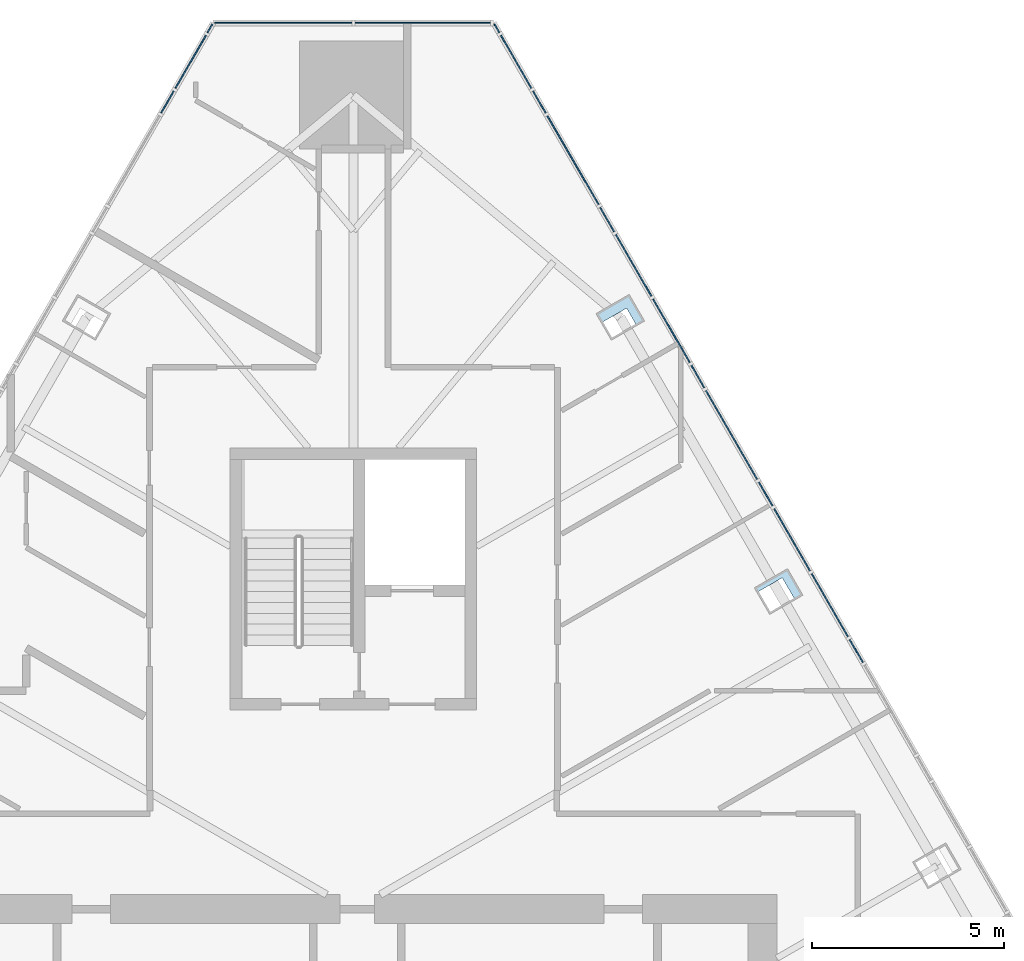
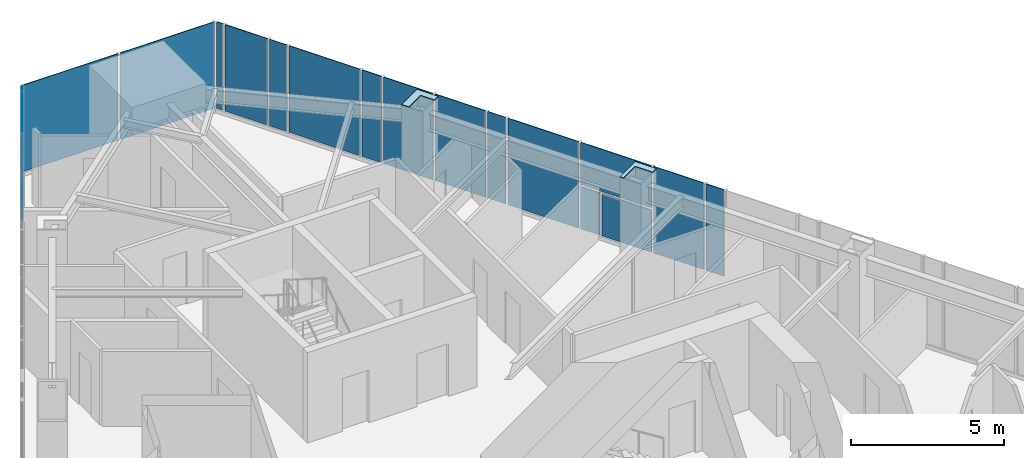
# One storey, part 17 of 24: 23 plates, 3 elements without a shape of their own.
"""IFC4 building model written with IfcOpenShell, lengths in metres."""

from ifc_helpers import new_model, si_unit, direction, frame, origin, place, context, subcontext, project, spatial, polyline, outline, extrude, material, layer, layer_set, type_object, element, aggregate, save


model = new_model("IFC4")

# Units and contexts
model_context = context("Model", 3, precision=1e-05, world=origin(), true_north=direction((0.0, 1.0)))
body_context = subcontext(model_context, "Body", "Model", "MODEL_VIEW")
ifc_project = project(units=[si_unit("LENGTHUNIT", "METRE"), si_unit("AREAUNIT", "SQUARE_METRE"), si_unit("VOLUMEUNIT", "CUBIC_METRE"), si_unit("PLANEANGLEUNIT", "RADIAN"), si_unit("MASSUNIT", "GRAM", prefix="KILO")], contexts=[model_context])

# Site, building, storey
site_placement = place(None, origin())
site = spatial("IfcSite", under=ifc_project, at=site_placement, CompositionType="ELEMENT")
building_placement = place(site_placement, origin())
building = spatial("IfcBuilding", under=site, at=building_placement, Name="Firuza Gate Tower and Library", CompositionType="ELEMENT")
storey_placement = place(building_placement, frame((0.0, 0.0, 237.699951171875)))
storey = spatial("IfcBuildingStorey", under=building, at=storey_placement, Name="L56", CompositionType="ELEMENT", Elevation=237.699951171875)

# Plates
ifc_material_1 = material(Name="Steel S355", Category="steel")
ifc_layer_1 = layer(ifc_material_1, 0.030029296875)
ifc_layer_set_1 = layer_set([ifc_layer_1], Name="Column infill plate 30 Steel S355")
plate_type_1 = type_object("IfcPlateType", Name="Column infill plate 30 Steel S355", PredefinedType="SHEET", material=ifc_layer_set_1)
placement_1 = place(storey_placement, frame((0.0, 0.0, 3.900146484375)))
element("IfcPlate", 1, at=placement_1, inside=storey, type_object=plate_type_1, Name="Infill plate L56:E4", PredefinedType="SHEET", context=body_context, shape_type="SweptSolid", body=[
    extrude(outline(polyline([(85.4130859375, 90.971923828125), (85.482177734375, 90.852294921875), (86.14111328125, 91.232666015625), (86.471923828125, 90.659423828125), (86.67919921875, 90.779052734375), (86.279052734375, 91.471923828125), (85.4130859375, 90.971923828125)])), origin(), (0.0, 0.0, 1.0), 0.02978515625),
])
element("IfcPlate", 2, at=placement_1, inside=storey, type_object=plate_type_1, Name="Infill plate L56:E5", PredefinedType="SHEET", context=body_context, shape_type="SweptSolid", body=[
    extrude(outline(polyline([(81.30029296875, 98.095458984375), (81.4384765625, 97.856201171875), (82.097412109375, 98.23681640625), (82.359375, 97.782958984375), (82.56640625, 97.902587890625), (82.166259765625, 98.595458984375), (81.30029296875, 98.095458984375)])), origin(), (0.0, 0.0, 1.0), 0.02978515625),
])

# Curtain wall, plates
ifc_material_2 = material(Name="Aluminium 6063-T6", Category="aluminium")
ifc_layer_2 = layer(ifc_material_2, 0.14990234375)
ifc_layer_set_2 = layer_set([ifc_layer_2], Name="Corner curtain wall, chamfers")
curtain_wall_type_1 = type_object("IfcCurtainWallType", Name="Corner curtain wall, chamfers", PredefinedType="NOTDEFINED", material=ifc_layer_set_2)
placement_2 = place(storey_placement, origin())
curtain_wall_1 = element("IfcCurtainWall", 3, at=placement_2, inside=storey, type_object=curtain_wall_type_1, Name="CW4 L56 N corner", PredefinedType="NOTDEFINED")
ifc_material_3 = material(Name="Fritted glass", Category="glass")
ifc_layer_3 = layer(ifc_material_3, 0.030029296875)
ifc_layer_set_3 = layer_set([ifc_layer_3], Name="Fritted glass unit, corners")
plate_type_2 = type_object("IfcPlateType", Name="Fritted glass unit, corners", PredefinedType="CURTAIN_PANEL", material=ifc_layer_set_3)
plate_3_placement = place(storey_placement, frame((78.603271484375, 105.66259765625, 0.150146484375), z_axis=(0.0, 1.0, 0.0), x_axis=(-1.0, 0.0, 0.0)))
plate_3 = element("IfcPlate", 4, at=plate_3_placement, type_object=plate_type_2, Name="Glass unit", PredefinedType="CURTAIN_PANEL", context=body_context, shape_type="SweptSolid", body=[
    extrude(outline(polyline([(0.0, 0.0), (3.563232421875, 0.0), (3.563232421875, 3.449951171875), (0.0, 3.449951171875), (0.0, 0.0)])), origin(), (0.0, 0.0, -1.0), 0.030029296875),
])
plate_4_placement = place(storey_placement, frame((74.9599609375, 105.66259765625, 0.150146484375), z_axis=(0.0, 1.0, 0.0), x_axis=(-1.0, 0.0, 0.0)))
plate_4 = element("IfcPlate", 5, at=plate_4_placement, type_object=plate_type_2, Name="Glass unit", PredefinedType="CURTAIN_PANEL", context=body_context, shape_type="SweptSolid", body=[
    extrude(outline(polyline([(0.0, 0.0), (3.563232421875, 0.0), (3.563232421875, 3.449951171875), (0.0, 3.449951171875), (0.0, 0.0)])), origin(), (0.0, 0.0, -1.0), 0.030029296875),
])
aggregate(curtain_wall_1, [plate_3, plate_4])

ifc_material_4 = material(Name="Aluminium 6063-T6", Category="aluminium")
ifc_layer_4 = layer(ifc_material_4, 0.14990234375)
ifc_layer_set_4 = layer_set([ifc_layer_4], Name="Unitised curtain wall, hotel")
curtain_wall_type_2 = type_object("IfcCurtainWallType", Name="Unitised curtain wall, hotel", PredefinedType="NOTDEFINED", material=ifc_layer_set_4)
curtain_wall_2 = element("IfcCurtainWall", 6, at=placement_2, inside=storey, type_object=curtain_wall_type_2, Name="CW2 L56 E face", PredefinedType="NOTDEFINED")
ifc_material_5 = material(Name="Fritted glass", Category="glass")
ifc_layer_5 = layer(ifc_material_5, 0.030029296875)
ifc_layer_set_5 = layer_set([ifc_layer_5], Name="Fritted glass unit, hotel")
plate_type_3 = type_object("IfcPlateType", Name="Fritted glass unit, hotel", PredefinedType="CURTAIN_PANEL", material=ifc_layer_set_5)
plate_5_placement = place(storey_placement, frame((87.8642578125, 89.706298828125, 0.150146484375), z_axis=(0.866039783157, 0.499975093369, 0.0), x_axis=(-0.499975093369, 0.866039783157, 0.0)))
plate_5 = element("IfcPlate", 7, at=plate_5_placement, type_object=plate_type_3, Name="Glass unit", PredefinedType="CURTAIN_PANEL", context=body_context, shape_type="SweptSolid", body=[
    extrude(outline(polyline([(0.0, 0.0), (1.896090544205554, 0.0), (1.896090544205554, 3.449951171875), (0.0, 3.449951171875), (0.0, 0.0)])), origin(), (0.0, 0.0, -1.0), 0.030029296875),
])
plate_6_placement = place(storey_placement, frame((86.876220703125, 91.417724609375, 0.150146484375), z_axis=(0.866013560478, 0.500020512648, 0.0), x_axis=(-0.500020512648, 0.866013560478, 0.0)))
plate_6 = element("IfcPlate", 8, at=plate_6_placement, type_object=plate_type_3, Name="Glass unit", PredefinedType="CURTAIN_PANEL", context=body_context, shape_type="SweptSolid", body=[
    extrude(outline(polyline([(0.0, 0.0), (1.8671109012230562, 0.0), (1.8671109012230562, 1.684814453125), (0.0, 1.684814453125), (0.0, 0.0)])), origin(), (0.0, 0.0, -1.0), 0.030029296875),
])
plate_7_placement = place(storey_placement, frame((86.876220703125, 91.417724609375, 1.9150390625), z_axis=(0.866031596129, 0.499989274391, 0.0), x_axis=(-0.499989274391, 0.866031596129, 0.0)))
plate_7 = element("IfcPlate", 9, at=plate_7_placement, type_object=plate_type_3, Name="Glass unit", PredefinedType="CURTAIN_PANEL", context=body_context, shape_type="SweptSolid", body=[
    extrude(outline(polyline([(0.0, 0.0), (2.6665611072350224, 0.0), (2.6665611072350224, 1.68505859375), (0.0, 1.68505859375), (0.0, 0.0)])), origin(), (0.0, 0.0, -1.0), 0.030029296875),
])
plate_8_placement = place(storey_placement, frame((83.75146484375, 96.829833984375, 0.150146484375), z_axis=(0.866064290378, 0.499932640395, 0.0), x_axis=(-0.499932640395, 0.866064290378, 0.0)))
plate_8 = element("IfcPlate", 10, at=plate_8_placement, type_object=plate_type_3, Name="Glass unit", PredefinedType="CURTAIN_PANEL", context=body_context, shape_type="SweptSolid", body=[
    extrude(outline(polyline([(0.0, 0.0), (1.9104136194130636, 0.0), (1.9104136194130636, 3.449951171875), (0.0, 3.449951171875), (0.0, 0.0)])), origin(), (0.0, 0.0, -1.0), 0.030029296875),
])
plate_9_placement = place(storey_placement, frame((82.75634765625, 98.5537109375, 0.150146484375), z_axis=(0.865988083811, 0.50006463452, 0.0), x_axis=(-0.50006463452, 0.865988083811, 0.0)))
plate_9 = element("IfcPlate", 11, at=plate_9_placement, type_object=plate_type_3, Name="Glass unit", PredefinedType="CURTAIN_PANEL", context=body_context, shape_type="SweptSolid", body=[
    extrude(outline(polyline([(0.0, 0.0), (1.8527878356465508, 0.0), (1.8527878356465508, 3.449951171875), (0.0, 3.449951171875), (0.0, 0.0)])), origin(), (0.0, 0.0, -1.0), 0.030029296875),
])
plate_10_placement = place(storey_placement, frame((79.638671875, 103.953369140625, 0.150146484375), z_axis=(0.86604784924, 0.499961121316, 0.0), x_axis=(-0.499961121316, 0.86604784924, 0.0)))
plate_10 = element("IfcPlate", 12, at=plate_10_placement, type_object=plate_type_3, Name="Glass unit", PredefinedType="CURTAIN_PANEL", context=body_context, shape_type="SweptSolid", body=[
    extrude(outline(polyline([(0.0, 0.0), (1.5938739354433187, 0.0), (1.5938739354433187, 3.449951171875), (0.0, 3.449951171875), (0.0, 0.0)])), origin(), (0.0, 0.0, -1.0), 0.030029296875),
])

curtain_wall_3 = element("IfcCurtainWall", 13, at=placement_2, inside=storey, type_object=curtain_wall_type_2, Name="CW2 L56 W face", PredefinedType="NOTDEFINED")
plate_11_placement = place(storey_placement, frame((71.158203125, 105.333740234375, 0.150146484375), z_axis=(-0.86604784924, 0.499961121316, 0.0), x_axis=(-0.499961121316, -0.86604784924, 0.0)))
plate_11 = element("IfcPlate", 14, at=plate_11_placement, type_object=plate_type_3, Name="Glass unit", PredefinedType="CURTAIN_PANEL", context=body_context, shape_type="SweptSolid", body=[
    extrude(outline(polyline([(0.0, 0.0), (1.5938739354433187, 0.0), (1.5938739354433187, 1.684814453125), (0.0, 1.684814453125), (0.0, 0.0)])), origin(), (0.0, 0.0, -1.0), 0.030029296875),
])
plate_12_placement = place(storey_placement, frame((71.158203125, 105.333740234375, 1.9150390625), z_axis=(-0.866041108843, 0.499972797054, 0.0), x_axis=(-0.499972797054, -0.866041108843, 0.0)))
plate_12 = element("IfcPlate", 15, at=plate_12_placement, type_object=plate_type_3, Name="Glass unit", PredefinedType="CURTAIN_PANEL", context=body_context, shape_type="SweptSolid", body=[
    extrude(outline(polyline([(0.0, 0.0), (2.335576287859735, 0.0), (2.335576287859735, 1.6850585937500004), (0.0, 1.6850585937500004), (0.0, 0.0)])), origin(), (0.0, 0.0, -1.0), 0.030029296875),
])

# Plate
ifc_material_6 = material(Name="Glazed ceramic tile")
ifc_layer_6 = layer(ifc_material_6, 0.030029296875)
ifc_layer_set_6 = layer_set([ifc_layer_6], Name="Opaque ceramic panel, hotel")
plate_type_4 = type_object("IfcPlateType", Name="Opaque ceramic panel, hotel", PredefinedType="CURTAIN_PANEL", material=ifc_layer_set_6)
plate_13_placement = place(storey_placement, frame((88.24951171875, 89.0390625, 0.150146484375), z_axis=(0.866103179807, 0.499865263774, 0.0), x_axis=(-0.499865263774, 0.866103179807, 0.0)))
plate_13 = element("IfcPlate", 16, at=plate_13_placement, type_object=plate_type_4, Name="Opaque ceramic panel", PredefinedType="CURTAIN_PANEL", context=body_context, shape_type="SweptSolid", body=[
    extrude(outline(polyline([(0.0, 0.0), (0.6906157894297082, 0.0), (0.6906157894297082, 3.4499511718749996), (0.0, 3.4499511718749996), (0.0, 0.0)])), origin(), (0.0, 0.0, -1.0), 0.030029296875),
])

plate_14_placement = place(storey_placement, frame((85.902587890625, 93.10400390625, 0.150146484375), z_axis=(0.866083868743, 0.499898722045, 0.0), x_axis=(-0.499898722045, 0.866083868743, 0.0)))
plate_14 = element("IfcPlate", 17, at=plate_14_placement, type_object=plate_type_4, Name="Opaque ceramic panel", PredefinedType="CURTAIN_PANEL", context=body_context, shape_type="SweptSolid", body=[
    extrude(outline(polyline([(0.0, 0.0), (0.7193839967299308, 0.0), (0.7193839967299308, 1.684814453125), (0.0, 1.684814453125), (0.0, 0.0)])), origin(), (0.0, 0.0, -1.0), 0.030029296875),
])

plate_15_placement = place(storey_placement, frame((85.5029296875, 93.79638671875, 0.150146484375), z_axis=(0.866031596129, 0.499989274391, 0.0), x_axis=(-0.499989274391, 0.866031596129, 0.0)))
plate_15 = element("IfcPlate", 18, at=plate_15_placement, type_object=plate_type_4, Name="Opaque ceramic panel", PredefinedType="CURTAIN_PANEL", context=body_context, shape_type="SweptSolid", body=[
    extrude(outline(polyline([(0.0, 0.0), (2.6665611072350224, 0.0), (2.6665611072350224, 3.449951171875), (0.0, 3.449951171875), (0.0, 0.0)])), origin(), (0.0, 0.0, -1.0), 0.030029296875),
])

plate_16_placement = place(storey_placement, frame((84.129638671875, 96.175048828125, 0.150146484375), z_axis=(0.866035297817, 0.499982862641, 0.0), x_axis=(-0.499982862641, 0.866035297817, 0.0)))
plate_16 = element("IfcPlate", 19, at=plate_16_placement, type_object=plate_type_4, Name="Opaque ceramic panel", PredefinedType="CURTAIN_PANEL", context=body_context, shape_type="SweptSolid", body=[
    extrude(outline(polyline([(0.0, 0.0), (0.6762927109915104, 0.0), (0.6762927109915104, 3.449951171875), (0.0, 3.449951171875), (0.0, 0.0)])), origin(), (0.0, 0.0, -1.0), 0.030029296875),
])

plate_17_placement = place(storey_placement, frame((81.7900390625, 100.2275390625, 0.150146484375), z_axis=(0.86585866917, 0.500288681687, 0.0), x_axis=(-0.500288681687, 0.86585866917, 0.0)))
plate_17 = element("IfcPlate", 20, at=plate_17_placement, type_object=plate_type_4, Name="Opaque ceramic panel", PredefinedType="CURTAIN_PANEL", context=body_context, shape_type="SweptSolid", body=[
    extrude(outline(polyline([(0.0, 0.0), (0.7339512434339148, 0.0), (0.7339512434339148, 3.449951171875), (0.0, 3.449951171875), (0.0, 0.0)])), origin(), (0.0, 0.0, -1.0), 0.030029296875),
])

plate_18_placement = place(storey_placement, frame((81.383056640625, 100.932373046875, 0.150146484375), z_axis=(0.865991950723, 0.500057937927, 0.0), x_axis=(-0.500057937927, 0.865991950723, 0.0)))
plate_18 = element("IfcPlate", 21, at=plate_18_placement, type_object=plate_type_4, Name="Opaque ceramic panel", PredefinedType="CURTAIN_PANEL", context=body_context, shape_type="SweptSolid", body=[
    extrude(outline(polyline([(0.0, 0.0), (2.666683183310937, 0.0), (2.666683183310937, 3.449951171875), (0.0, 3.449951171875), (0.0, 0.0)])), origin(), (0.0, 0.0, -1.0), 0.030029296875),
])

plate_19_placement = place(storey_placement, frame((80.009521484375, 103.31103515625, 0.150146484375), z_axis=(0.866124168174, 0.499828896029, 0.0), x_axis=(-0.499828896029, 0.866124168174, 0.0)))
plate_19 = element("IfcPlate", 22, at=plate_19_placement, type_object=plate_type_4, Name="Opaque ceramic panel", PredefinedType="CURTAIN_PANEL", context=body_context, shape_type="SweptSolid", body=[
    extrude(outline(polyline([(0.0, 0.0), (0.6618475832497401, 0.0), (0.6618475832497401, 3.449951171875), (0.0, 3.449951171875), (0.0, 0.0)])), origin(), (0.0, 0.0, -1.0), 0.030029296875),
])

plate_20_placement = place(storey_placement, frame((78.802001953125, 105.40283203125, 0.150146484375), z_axis=(0.865780878536, 0.500423291185, 0.0), x_axis=(-0.500423291185, 0.865780878536, 0.0)))
plate_20 = element("IfcPlate", 23, at=plate_20_placement, type_object=plate_type_4, Name="Opaque ceramic panel", PredefinedType="CURTAIN_PANEL", context=body_context, shape_type="SweptSolid", body=[
    extrude(outline(polyline([(0.0, 0.0), (0.2512521381192305, 0.0), (0.2512521381192305, 3.449951171875), (0.0, 3.449951171875), (0.0, 0.0)])), origin(), (0.0, 0.0, -1.0), 0.030029296875),
])

aggregate(curtain_wall_2, [plate_13, plate_5, plate_6, plate_14, plate_7, plate_15, plate_16, plate_8, plate_9, plate_17, plate_18, plate_19, plate_10, plate_20])

plate_21_placement = place(storey_placement, frame((71.32373046875, 105.620361328125, 0.150146484375), z_axis=(-0.865780878536, 0.500423291185, 0.0), x_axis=(-0.500423291185, -0.865780878536, 0.0)))
plate_21 = element("IfcPlate", 24, at=plate_21_placement, type_object=plate_type_4, Name="Opaque ceramic panel", PredefinedType="CURTAIN_PANEL", context=body_context, shape_type="SweptSolid", body=[
    extrude(outline(polyline([(0.0, 0.0), (0.2512521381192305, 0.0), (0.2512521381192305, 1.684814453125), (0.0, 1.684814453125), (0.0, 0.0)])), origin(), (0.0, 0.0, -1.0), 0.030029296875),
])

plate_22_placement = place(storey_placement, frame((70.3212890625, 103.88427734375, 0.150146484375), z_axis=(-0.866124168174, 0.499828896029, 0.0), x_axis=(-0.499828896029, -0.866124168174, 0.0)))
plate_22 = element("IfcPlate", 25, at=plate_22_placement, type_object=plate_type_4, Name="Opaque ceramic panel", PredefinedType="CURTAIN_PANEL", context=body_context, shape_type="SweptSolid", body=[
    extrude(outline(polyline([(0.0, 0.0), (0.6618475832497402, 0.0), (0.6618475832497402, 1.6848144531250004), (0.0, 1.6848144531250004), (0.0, 0.0)])), origin(), (0.0, 0.0, -1.0), 0.030029296875),
])

plate_23_placement = place(storey_placement, frame((71.32373046875, 105.620361328125, 1.9150390625), z_axis=(-0.865780878536, 0.500423291185, 0.0), x_axis=(-0.500423291185, -0.865780878536, 0.0)))
plate_23 = element("IfcPlate", 26, at=plate_23_placement, type_object=plate_type_4, Name="Opaque ceramic panel", PredefinedType="CURTAIN_PANEL", context=body_context, shape_type="SweptSolid", body=[
    extrude(outline(polyline([(0.0, 0.0), (0.2512521381192305, 0.0), (0.2512521381192305, 1.68505859375), (0.0, 1.68505859375), (0.0, 0.0)])), origin(), (0.0, 0.0, -1.0), 0.030029296875),
])

aggregate(curtain_wall_3, [plate_21, plate_11, plate_22, plate_23, plate_12])

save(model, "model.ifc")
